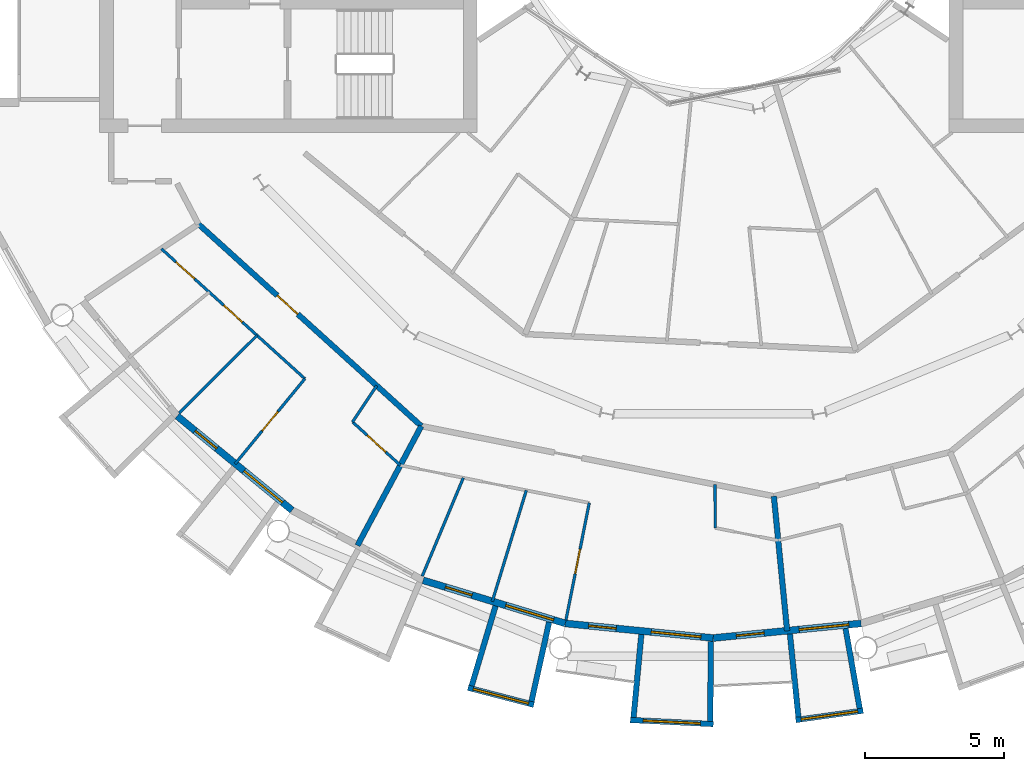
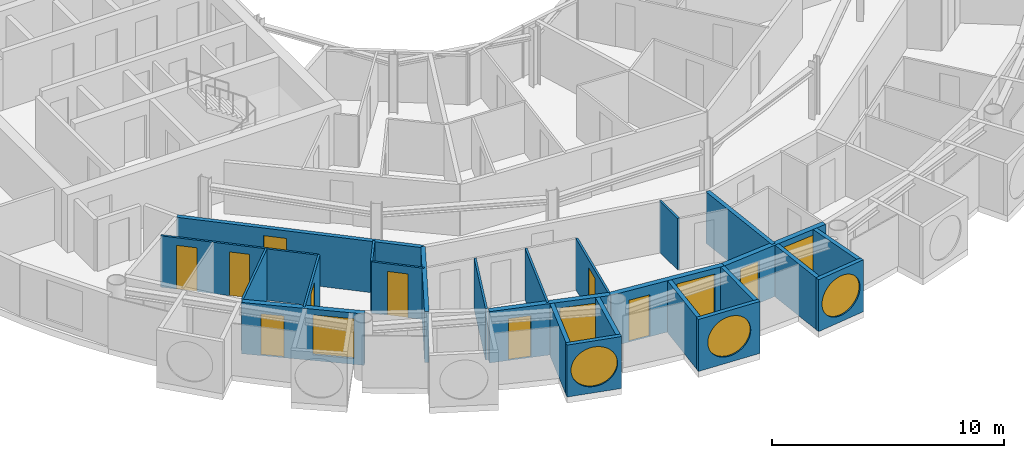
# One storey, part 14 of 26: 25 walls, 10 doors, 7 windows, 17 openings.
"""IFC4 building model written with IfcOpenShell, lengths in metres."""

from ifc_helpers import new_model, si_unit, direction, frame, frame_2d, origin, place, context, subcontext, project, spatial, rectangle, circle, extrude, material, layer, layer_set, type_object, element, fill, save


model = new_model("IFC4")

# Units and contexts
model_context = context("Model", 3, precision=1e-05, world=origin(), true_north=direction((0.0, 1.0)))
body_context = subcontext(model_context, "Body", "Model", "MODEL_VIEW")
ifc_project = project(units=[si_unit("LENGTHUNIT", "METRE"), si_unit("AREAUNIT", "SQUARE_METRE"), si_unit("VOLUMEUNIT", "CUBIC_METRE"), si_unit("PLANEANGLEUNIT", "RADIAN"), si_unit("MASSUNIT", "GRAM", prefix="KILO")], contexts=[model_context])

# Site, building, storey
site_placement = place(None, origin())
site = spatial("IfcSite", under=ifc_project, at=site_placement, CompositionType="ELEMENT")
building_placement = place(site_placement, origin())
building = spatial("IfcBuilding", under=site, at=building_placement, Name="Maasbend Ring Residences", CompositionType="ELEMENT")
storey_placement = place(building_placement, frame((0.0, 0.0, 154.35009765625)))
storey = spatial("IfcBuildingStorey", under=building, at=storey_placement, Name="L44", CompositionType="ELEMENT", Elevation=154.35009765625)

# Wall, opening, door
ifc_material_1 = material(Name="Concrete C30/37", Category="concrete")
ifc_layer_1 = layer(ifc_material_1, 0.199951171875)
ifc_layer_set_1 = layer_set([ifc_layer_1], Name="Concrete C30/37")
wall_type_1 = type_object("IfcWallType", Name="CORRIDOR WALL 200 CONCRETE", PredefinedType="PARTITIONING", material=ifc_layer_set_1)
wall_1_placement = place(storey_placement, frame((-18.5419921875, -12.388916015625, 0.0), z_axis=(0.0, 0.0, 1.0), x_axis=(0.740979597636, -0.671527539188, 0.0)))
wall_1 = element("IfcWall", 1, at=wall_1_placement, inside=storey, type_object=wall_type_1, Name="U-L44-w014", PredefinedType="PARTITIONING", context=body_context, shape_type="SweptSolid", body=[
    extrude(rectangle(XDim=10.841064453125, YDim=0.199951171875, at=frame_2d((5.42041015625, 0.0))), origin(), (0.0, 0.0, 1.0), 2.699951171875),
])
opening_1_placement = place(wall_1_placement, frame((3.8349609375, 0.0, 0.0)))
opening_1 = element("IfcOpeningElement", 2, at=opening_1_placement, cuts=wall_1, Name="Opening D-4433", PredefinedType="OPENING", context=body_context, shape_type="SweptSolid", body=[
    extrude(rectangle(XDim=1.0, YDim=2.300048828125, at=frame_2d((0.5, 1.14990234375))), frame((0.0, 0.10986328125, 0.0), z_axis=(0.0, -1.0, 0.0), x_axis=(1.0, 0.0, 0.0)), (0.0, 0.0, 1.0), 0.219970703125),
])
ifc_material_2 = material(Name="Timber, fire-rated, painted", Category="wood")
door_type_1 = type_object("IfcDoorType", Name="FLAT ENTRANCE DOOR 1000 X 2300 FIRE-RATED", OperationType="NOTDEFINED", PredefinedType="DOOR", material=ifc_material_2)
door_1_placement = place(opening_1_placement, origin())
door_1 = element("IfcDoor", 3, at=door_1_placement, inside=storey, type_object=door_type_1, Name="D-4433", OperationType="SINGLE_SWING_LEFT", OverallHeight=2.300048828125, OverallWidth=1.0, PredefinedType="DOOR", context=body_context, shape_type="SweptSolid", body=[
    extrude(rectangle(XDim=1.0, YDim=2.300048828125, at=frame_2d((0.5, 1.14990234375))), frame((0.0, 0.02490234375, 0.0), z_axis=(0.0, -1.0, 0.0), x_axis=(1.0, 0.0, 0.0)), (0.0, 0.0, 1.0), 0.050048828125),
])
fill(opening_1, door_1)

# Wall, opening, window
ifc_material_3 = material(Name="Pale anodised aluminium panel", Category="aluminium")
ifc_layer_2 = layer(ifc_material_3, 0.199951171875)
ifc_layer_set_2 = layer_set([ifc_layer_2], Name="EW-BOX")
wall_type_2 = type_object("IfcWallType", Name="EW-BOX", PredefinedType="SOLIDWALL", material=ifc_layer_set_2)
wall_2_placement = place(storey_placement, frame((-8.8291015625, -29.090087890625, -0.030029296875), z_axis=(0.0, 0.0, 1.0), x_axis=(0.96789536872, -0.251353446784, 0.0)))
wall_2 = element("IfcWall", 4, at=wall_2_placement, inside=storey, type_object=wall_type_2, Name="Box front S08", PredefinedType="SOLIDWALL", context=body_context, shape_type="SweptSolid", body=[
    extrude(rectangle(XDim=2.44677734375, YDim=0.199951171875, at=frame_2d((1.223388671875, 0.0))), origin(), (0.0, 0.0, 1.0), 2.72998046875),
])
opening_2_placement = place(wall_2_placement, frame((0.182861328125, 0.0, 0.330078125)))
opening_2 = element("IfcOpeningElement", 5, at=opening_2_placement, cuts=wall_2, Name="Opening W-RD", PredefinedType="OPENING", context=body_context, shape_type="SweptSolid", body=[
    extrude(circle(Radius=1.0400390625, at=frame_2d((1.0400390625, 1.0400390625))), frame((0.0, 0.10986328125, 0.0), z_axis=(0.0, -1.0, 0.0), x_axis=(1.0, 0.0, 0.0)), (0.0, 0.0, 1.0), 0.219970703125),
])
ifc_material_4 = material(Name="Aluminium and clear glass", Category="aluminium")
window_type_1 = type_object("IfcWindowType", Name="W-RD", PartitioningType="SINGLE_PANEL", PredefinedType="WINDOW", material=ifc_material_4)
window_1_placement = place(opening_2_placement, origin())
window_1 = element("IfcWindow", 6, at=window_1_placement, inside=storey, type_object=window_type_1, Name="Round window S08", OverallHeight=2.080078125, OverallWidth=2.080078125, PartitioningType="SINGLE_PANEL", PredefinedType="WINDOW", context=body_context, shape_type="SweptSolid", body=[
    extrude(circle(Radius=1.0400390625, at=frame_2d((1.0400390625, 1.0400390625))), frame((0.0, 0.030029296875, 0.0), z_axis=(0.0, -1.0, 0.0), x_axis=(1.0, 0.0, 0.0)), (0.0, 0.0, 1.0), 0.06005859375),
])
fill(opening_2, window_1)

# Walls
wall_3_placement = place(storey_placement, frame((-7.8369140625, -26.14404296875, -0.030029296875), z_axis=(0.0, 0.0, 1.0), x_axis=(-0.287064767992, -0.957911174889, 0.0)))
element("IfcWall", 7, at=wall_3_placement, inside=storey, type_object=wall_type_2, Name="Box side wall S08 left", PredefinedType="SOLIDWALL", context=body_context, shape_type="SweptSolid", body=[
    extrude(rectangle(XDim=3.00634765625, YDim=0.199951171875, at=frame_2d((1.503173828125, 0.0))), origin(), (0.0, 0.0, 1.0), 2.72998046875),
])
wall_4_placement = place(storey_placement, frame((-5.908935546875, -26.72900390625, -0.030029296875), z_axis=(0.0, 0.0, 1.0), x_axis=(-0.216409053917, -0.976302781612, 0.0)))
element("IfcWall", 8, at=wall_4_placement, inside=storey, type_object=wall_type_2, Name="Box side wall S08 right", PredefinedType="SOLIDWALL", context=body_context, shape_type="SweptSolid", body=[
    extrude(rectangle(XDim=2.92529296875, YDim=0.199951171875, at=frame_2d((1.462646484375, 0.0))), origin(), (0.0, 0.0, 1.0), 2.72998046875),
])

# Wall, opening, window
wall_5_placement = place(storey_placement, frame((-2.985107421875, -30.2529296875, -0.030029296875), z_axis=(0.0, 0.0, 1.0), x_axis=(0.998794083011, -0.049095618353, 0.0)))
wall_5 = element("IfcWall", 9, at=wall_5_placement, inside=storey, type_object=wall_type_2, Name="Box front S10", PredefinedType="SOLIDWALL", context=body_context, shape_type="SweptSolid", body=[
    extrude(rectangle(XDim=2.99365234375, YDim=0.199951171875, at=frame_2d((1.496826171875, 0.0))), origin(), (0.0, 0.0, 1.0), 2.72998046875),
])
opening_3_placement = place(wall_5_placement, frame((0.45654296875, 0.0, 0.330078125)))
opening_3 = element("IfcOpeningElement", 10, at=opening_3_placement, cuts=wall_5, Name="Opening W-RD", PredefinedType="OPENING", context=body_context, shape_type="SweptSolid", body=[
    extrude(circle(Radius=1.0400390625, at=frame_2d((1.0400390625, 1.0400390625))), frame((0.0, 0.10986328125, 0.0), z_axis=(0.0, -1.0, 0.0), x_axis=(1.0, 0.0, 0.0)), (0.0, 0.0, 1.0), 0.219970703125),
])
window_2_placement = place(opening_3_placement, origin())
window_2 = element("IfcWindow", 11, at=window_2_placement, inside=storey, type_object=window_type_1, Name="Round window S10", OverallHeight=2.080078125, OverallWidth=2.080078125, PartitioningType="SINGLE_PANEL", PredefinedType="WINDOW", context=body_context, shape_type="SweptSolid", body=[
    extrude(circle(Radius=1.0400390625, at=frame_2d((1.0400390625, 1.0400390625))), frame((0.0, 0.030029296875, 0.0), z_axis=(0.0, -1.0, 0.0), x_axis=(1.0, 0.0, 0.0)), (0.0, 0.0, 1.0), 0.06005859375),
])
fill(opening_3, window_2)

# Walls
wall_6_placement = place(storey_placement, frame((-2.5859375, -27.1708984375, -0.030029296875), z_axis=(0.0, 0.0, 1.0), x_axis=(-0.094548432284, -0.995520262954, 0.0)))
element("IfcWall", 12, at=wall_6_placement, inside=storey, type_object=wall_type_2, Name="Box side wall S10 left", PredefinedType="SOLIDWALL", context=body_context, shape_type="SweptSolid", body=[
    extrude(rectangle(XDim=3.005615234375, YDim=0.199951171875, at=frame_2d((1.5029296875, 0.0))), origin(), (0.0, 0.0, 1.0), 2.72998046875),
])
wall_7_placement = place(storey_placement, frame((-0.090087890625, -27.4169921875, -0.030029296875), z_axis=(0.0, 0.0, 1.0), x_axis=(-0.00347308367, -0.999993968827, 0.0)))
element("IfcWall", 13, at=wall_7_placement, inside=storey, type_object=wall_type_2, Name="Box side wall S10 right", PredefinedType="SOLIDWALL", context=body_context, shape_type="SweptSolid", body=[
    extrude(rectangle(XDim=2.882080078125, YDim=0.199951171875, at=frame_2d((1.44091796875, 0.0))), origin(), (0.0, 0.0, 1.0), 2.72998046875),
])

# Wall, opening, window
wall_8_placement = place(storey_placement, frame((2.97607421875, -30.25390625, -0.030029296875), z_axis=(0.0, 0.0, 1.0), x_axis=(0.990462016113, 0.137786046596, 0.0)))
wall_8 = element("IfcWall", 14, at=wall_8_placement, inside=storey, type_object=wall_type_2, Name="Box front S12", PredefinedType="SOLIDWALL", context=body_context, shape_type="SweptSolid", body=[
    extrude(rectangle(XDim=2.4453125, YDim=0.199951171875, at=frame_2d((1.22265625, 0.0))), origin(), (0.0, 0.0, 1.0), 2.72998046875),
])
opening_4_placement = place(wall_8_placement, frame((0.182861328125, 0.0, 0.330078125)))
opening_4 = element("IfcOpeningElement", 15, at=opening_4_placement, cuts=wall_8, Name="Opening W-RD", PredefinedType="OPENING", context=body_context, shape_type="SweptSolid", body=[
    extrude(circle(Radius=1.0400390625, at=frame_2d((1.0400390625, 1.0400390625))), frame((0.0, 0.10986328125, 0.0), z_axis=(0.0, -1.0, 0.0), x_axis=(1.0, 0.0, 0.0)), (0.0, 0.0, 1.0), 0.219970703125),
])
window_3_placement = place(opening_4_placement, origin())
window_3 = element("IfcWindow", 16, at=window_3_placement, inside=storey, type_object=window_type_1, Name="Round window S12", OverallHeight=2.080078125, OverallWidth=2.080078125, PartitioningType="SINGLE_PANEL", PredefinedType="WINDOW", context=body_context, shape_type="SweptSolid", body=[
    extrude(circle(Radius=1.0400390625, at=frame_2d((1.0400390625, 1.0400390625))), frame((0.0, 0.030029296875, 0.0), z_axis=(0.0, -1.0, 0.0), x_axis=(1.0, 0.0, 0.0)), (0.0, 0.0, 1.0), 0.06005859375),
])
fill(opening_4, window_3)

# Walls
wall_9_placement = place(storey_placement, frame((2.763916015625, -27.153076171875, -0.030029296875), z_axis=(0.0, 0.0, 1.0), x_axis=(0.101505487237, -0.994834979311, 0.0)))
element("IfcWall", 17, at=wall_9_placement, inside=storey, type_object=wall_type_2, Name="Box side wall S12 left", PredefinedType="SOLIDWALL", context=body_context, shape_type="SweptSolid", body=[
    extrude(rectangle(XDim=3.006591796875, YDim=0.199951171875, at=frame_2d((1.50341796875, 0.0))), origin(), (0.0, 0.0, 1.0), 2.72998046875),
])
wall_10_placement = place(storey_placement, frame((4.76904296875, -26.9560546875, -0.030029296875), z_axis=(0.0, 0.0, 1.0), x_axis=(0.174056778901, -0.984735618183, 0.0)))
element("IfcWall", 18, at=wall_10_placement, inside=storey, type_object=wall_type_2, Name="Box side wall S12 right", PredefinedType="SOLIDWALL", context=body_context, shape_type="SweptSolid", body=[
    extrude(rectangle(XDim=2.924560546875, YDim=0.199951171875, at=frame_2d((1.46240234375, 0.0))), origin(), (0.0, 0.0, 1.0), 2.72998046875),
])

# Wall, openings, door, window
ifc_material_5 = material(Name="Aluminium clad insulated panel", Category="aluminium")
ifc_layer_3 = layer(ifc_material_5, 0.25)
ifc_layer_set_3 = layer_set([ifc_layer_3], Name="EW-GL")
wall_type_3 = type_object("IfcWallType", Name="EW-GL", PredefinedType="SOLIDWALL", material=ifc_layer_set_3)
wall_11_placement = place(storey_placement, frame((-19.303955078125, -19.303955078125, 0.0), z_axis=(0.0, 0.0, 1.0), x_axis=(0.773019449054, -0.634382322723, 0.0)))
wall_11 = element("IfcWall", 19, at=wall_11_placement, inside=storey, type_object=wall_type_3, Name="External wall S02", PredefinedType="SOLIDWALL", context=body_context, shape_type="SweptSolid", body=[
    extrude(rectangle(XDim=5.351806640625, YDim=0.25, at=frame_2d((2.67578125, 0.0))), origin(), (0.0, 0.0, 1.0), 2.699951171875),
])
opening_5_placement = place(wall_11_placement, frame((0.841064453125, 0.0, 0.0)))
opening_5 = element("IfcOpeningElement", 20, at=opening_5_placement, cuts=wall_11, Name="Opening D-LG", PredefinedType="OPENING", context=body_context, shape_type="SweptSolid", body=[
    extrude(rectangle(XDim=1.0, YDim=2.199951171875, at=frame_2d((0.5, 1.10009765625))), frame((0.0, 0.135009765625, 0.0), z_axis=(0.0, -1.0, 0.0), x_axis=(1.0, 0.0, 0.0)), (0.0, 0.0, 1.0), 0.27001953125),
])
opening_6_placement = place(wall_11_placement, frame((3.110595703125, 0.0, 0.300048828125)))
opening_6 = element("IfcOpeningElement", 21, at=opening_6_placement, cuts=wall_11, Name="Opening W-BX", PredefinedType="OPENING", context=body_context, shape_type="SweptSolid", body=[
    extrude(rectangle(XDim=1.800048828125, YDim=2.10009765625, at=frame_2d((0.89990234375, 1.050048828125))), frame((0.0, 0.135009765625, 0.0), z_axis=(0.0, -1.0, 0.0), x_axis=(1.0, 0.0, 0.0)), (0.0, 0.0, 1.0), 0.27001953125),
])
ifc_material_6 = material(Name="Aluminium and clear glass", Category="aluminium")
door_type_2 = type_object("IfcDoorType", Name="D-LG", OperationType="SINGLE_SWING_LEFT", PredefinedType="DOOR", material=ifc_material_6)
door_2_placement = place(opening_5_placement, origin())
door_2 = element("IfcDoor", 22, at=door_2_placement, inside=storey, type_object=door_type_2, Name="Loggia door S03", OperationType="SINGLE_SWING_LEFT", OverallHeight=2.199951171875, OverallWidth=1.0, PredefinedType="DOOR", context=body_context, shape_type="SweptSolid", body=[
    extrude(rectangle(XDim=1.0, YDim=2.199951171875, at=frame_2d((0.5, 1.10009765625))), frame((0.0, 0.02490234375, 0.0), z_axis=(0.0, -1.0, 0.0), x_axis=(1.0, 0.0, 0.0)), (0.0, 0.0, 1.0), 0.050048828125),
])
fill(opening_5, door_2)
ifc_material_7 = material(Name="Aluminium and clear glass", Category="aluminium")
window_type_2 = type_object("IfcWindowType", Name="W-BX", PartitioningType="DOUBLE_PANEL_VERTICAL", PredefinedType="WINDOW", material=ifc_material_7)
window_4_placement = place(opening_6_placement, origin())
window_4 = element("IfcWindow", 23, at=window_4_placement, inside=storey, type_object=window_type_2, Name="Window S04 room to box", OverallHeight=2.10009765625, OverallWidth=1.800048828125, PartitioningType="SINGLE_PANEL", PredefinedType="WINDOW", context=body_context, shape_type="SweptSolid", body=[
    extrude(rectangle(XDim=1.800048828125, YDim=2.10009765625, at=frame_2d((0.89990234375, 1.050048828125))), frame((0.0, 0.030029296875, 0.0), z_axis=(0.0, -1.0, 0.0), x_axis=(1.0, 0.0, 0.0)), (0.0, 0.0, 1.0), 0.06005859375),
])
fill(opening_6, window_4)

wall_12_placement = place(storey_placement, frame((-10.447021484375, -25.221923828125, 0.0), z_axis=(0.0, 0.0, 1.0), x_axis=(0.956965678721, -0.290201119486, 0.0)))
wall_12 = element("IfcWall", 24, at=wall_12_placement, inside=storey, type_object=wall_type_3, Name="External wall S04", PredefinedType="SOLIDWALL", context=body_context, shape_type="SweptSolid", body=[
    extrude(rectangle(XDim=5.351318359375, YDim=0.25, at=frame_2d((2.67578125, 0.0))), origin(), (0.0, 0.0, 1.0), 2.699951171875),
])
opening_7_placement = place(wall_12_placement, frame((0.841064453125, 0.0, 0.0)))
opening_7 = element("IfcOpeningElement", 25, at=opening_7_placement, cuts=wall_12, Name="Opening D-LG", PredefinedType="OPENING", context=body_context, shape_type="SweptSolid", body=[
    extrude(rectangle(XDim=1.0, YDim=2.199951171875, at=frame_2d((0.5, 1.10009765625))), frame((0.0, 0.135009765625, 0.0), z_axis=(0.0, -1.0, 0.0), x_axis=(1.0, 0.0, 0.0)), (0.0, 0.0, 1.0), 0.27001953125),
])
opening_8_placement = place(wall_12_placement, frame((3.110595703125, 0.0, 0.300048828125)))
opening_8 = element("IfcOpeningElement", 26, at=opening_8_placement, cuts=wall_12, Name="Opening W-BX", PredefinedType="OPENING", context=body_context, shape_type="SweptSolid", body=[
    extrude(rectangle(XDim=1.800048828125, YDim=2.10009765625, at=frame_2d((0.89990234375, 1.050048828125))), frame((0.0, 0.135009765625, 0.0), z_axis=(0.0, -1.0, 0.0), x_axis=(1.0, 0.0, 0.0)), (0.0, 0.0, 1.0), 0.27001953125),
])
door_3_placement = place(opening_7_placement, origin())
door_3 = element("IfcDoor", 27, at=door_3_placement, inside=storey, type_object=door_type_2, Name="Loggia door S07", OperationType="SINGLE_SWING_LEFT", OverallHeight=2.199951171875, OverallWidth=1.0, PredefinedType="DOOR", context=body_context, shape_type="SweptSolid", body=[
    extrude(rectangle(XDim=1.0, YDim=2.199951171875, at=frame_2d((0.5, 1.10009765625))), frame((0.0, 0.02490234375, 0.0), z_axis=(0.0, -1.0, 0.0), x_axis=(1.0, 0.0, 0.0)), (0.0, 0.0, 1.0), 0.050048828125),
])
fill(opening_7, door_3)
window_5_placement = place(opening_8_placement, origin())
window_5 = element("IfcWindow", 28, at=window_5_placement, inside=storey, type_object=window_type_2, Name="Window S08 room to box", OverallHeight=2.10009765625, OverallWidth=1.800048828125, PartitioningType="SINGLE_PANEL", PredefinedType="WINDOW", context=body_context, shape_type="SweptSolid", body=[
    extrude(rectangle(XDim=1.800048828125, YDim=2.10009765625, at=frame_2d((0.89990234375, 1.050048828125))), frame((0.0, 0.030029296875, 0.0), z_axis=(0.0, -1.0, 0.0), x_axis=(1.0, 0.0, 0.0)), (0.0, 0.0, 1.0), 0.06005859375),
])
fill(opening_8, window_5)

wall_13_placement = place(storey_placement, frame((-5.325927734375, -26.77490234375, 0.0), z_axis=(0.0, 0.0, 1.0), x_axis=(0.995173996315, -0.098126026407, 0.0)))
wall_13 = element("IfcWall", 29, at=wall_13_placement, inside=storey, type_object=wall_type_3, Name="External wall S05", PredefinedType="SOLIDWALL", context=body_context, shape_type="SweptSolid", body=[
    extrude(rectangle(XDim=5.351806640625, YDim=0.25, at=frame_2d((2.67578125, 0.0))), origin(), (0.0, 0.0, 1.0), 2.699951171875),
])
opening_9_placement = place(wall_13_placement, frame((0.841064453125, 0.0, 0.0)))
opening_9 = element("IfcOpeningElement", 30, at=opening_9_placement, cuts=wall_13, Name="Opening D-LG", PredefinedType="OPENING", context=body_context, shape_type="SweptSolid", body=[
    extrude(rectangle(XDim=1.0, YDim=2.199951171875, at=frame_2d((0.5, 1.10009765625))), frame((0.0, 0.135009765625, 0.0), z_axis=(0.0, -1.0, 0.0), x_axis=(1.0, 0.0, 0.0)), (0.0, 0.0, 1.0), 0.27001953125),
])
opening_10_placement = place(wall_13_placement, frame((3.110595703125, 0.0, 0.300048828125)))
opening_10 = element("IfcOpeningElement", 31, at=opening_10_placement, cuts=wall_13, Name="Opening W-BX", PredefinedType="OPENING", context=body_context, shape_type="SweptSolid", body=[
    extrude(rectangle(XDim=1.800048828125, YDim=2.10009765625, at=frame_2d((0.89990234375, 1.050048828125))), frame((0.0, 0.135009765625, 0.0), z_axis=(0.0, -1.0, 0.0), x_axis=(1.0, 0.0, 0.0)), (0.0, 0.0, 1.0), 0.27001953125),
])
door_4_placement = place(opening_9_placement, origin())
door_4 = element("IfcDoor", 32, at=door_4_placement, inside=storey, type_object=door_type_2, Name="Loggia door S09", OperationType="SINGLE_SWING_LEFT", OverallHeight=2.199951171875, OverallWidth=1.0, PredefinedType="DOOR", context=body_context, shape_type="SweptSolid", body=[
    extrude(rectangle(XDim=1.0, YDim=2.199951171875, at=frame_2d((0.5, 1.10009765625))), frame((0.0, 0.02490234375, 0.0), z_axis=(0.0, -1.0, 0.0), x_axis=(1.0, 0.0, 0.0)), (0.0, 0.0, 1.0), 0.050048828125),
])
fill(opening_9, door_4)
window_6_placement = place(opening_10_placement, origin())
window_6 = element("IfcWindow", 33, at=window_6_placement, inside=storey, type_object=window_type_2, Name="Window S10 room to box", OverallHeight=2.10009765625, OverallWidth=1.800048828125, PartitioningType="SINGLE_PANEL", PredefinedType="WINDOW", context=body_context, shape_type="SweptSolid", body=[
    extrude(rectangle(XDim=1.800048828125, YDim=2.10009765625, at=frame_2d((0.89990234375, 1.050048828125))), frame((0.0, 0.030029296875, 0.0), z_axis=(0.0, -1.0, 0.0), x_axis=(1.0, 0.0, 0.0)), (0.0, 0.0, 1.0), 0.06005859375),
])
fill(opening_10, window_6)

wall_14_placement = place(storey_placement, frame((0.0, -27.300048828125, 0.0), z_axis=(0.0, 0.0, 1.0), x_axis=(0.995173996315, 0.098126026407, 0.0)))
wall_14 = element("IfcWall", 34, at=wall_14_placement, inside=storey, type_object=wall_type_3, Name="External wall S06", PredefinedType="SOLIDWALL", context=body_context, shape_type="SweptSolid", body=[
    extrude(rectangle(XDim=5.351806640625, YDim=0.25, at=frame_2d((2.67578125, 0.0))), origin(), (0.0, 0.0, 1.0), 2.699951171875),
])
opening_11_placement = place(wall_14_placement, frame((0.841064453125, 0.0, 0.0)))
opening_11 = element("IfcOpeningElement", 35, at=opening_11_placement, cuts=wall_14, Name="Opening D-LG", PredefinedType="OPENING", context=body_context, shape_type="SweptSolid", body=[
    extrude(rectangle(XDim=1.0, YDim=2.199951171875, at=frame_2d((0.5, 1.10009765625))), frame((0.0, 0.135009765625, 0.0), z_axis=(0.0, -1.0, 0.0), x_axis=(1.0, 0.0, 0.0)), (0.0, 0.0, 1.0), 0.27001953125),
])
opening_12_placement = place(wall_14_placement, frame((3.110595703125, 0.0, 0.300048828125)))
opening_12 = element("IfcOpeningElement", 36, at=opening_12_placement, cuts=wall_14, Name="Opening W-BX", PredefinedType="OPENING", context=body_context, shape_type="SweptSolid", body=[
    extrude(rectangle(XDim=1.800048828125, YDim=2.10009765625, at=frame_2d((0.89990234375, 1.050048828125))), frame((0.0, 0.135009765625, 0.0), z_axis=(0.0, -1.0, 0.0), x_axis=(1.0, 0.0, 0.0)), (0.0, 0.0, 1.0), 0.27001953125),
])
door_5_placement = place(opening_11_placement, origin())
door_5 = element("IfcDoor", 37, at=door_5_placement, inside=storey, type_object=door_type_2, Name="Loggia door S11", OperationType="SINGLE_SWING_LEFT", OverallHeight=2.199951171875, OverallWidth=1.0, PredefinedType="DOOR", context=body_context, shape_type="SweptSolid", body=[
    extrude(rectangle(XDim=1.0, YDim=2.199951171875, at=frame_2d((0.5, 1.10009765625))), frame((0.0, 0.02490234375, 0.0), z_axis=(0.0, -1.0, 0.0), x_axis=(1.0, 0.0, 0.0)), (0.0, 0.0, 1.0), 0.050048828125),
])
fill(opening_11, door_5)
window_7_placement = place(opening_12_placement, origin())
window_7 = element("IfcWindow", 38, at=window_7_placement, inside=storey, type_object=window_type_2, Name="Window S12 room to box", OverallHeight=2.10009765625, OverallWidth=1.800048828125, PartitioningType="SINGLE_PANEL", PredefinedType="WINDOW", context=body_context, shape_type="SweptSolid", body=[
    extrude(rectangle(XDim=1.800048828125, YDim=2.10009765625, at=frame_2d((0.89990234375, 1.050048828125))), frame((0.0, 0.030029296875, 0.0), z_axis=(0.0, -1.0, 0.0), x_axis=(1.0, 0.0, 0.0)), (0.0, 0.0, 1.0), 0.06005859375),
])
fill(opening_12, window_7)

# Wall, openings, doors
ifc_material_8 = material(Name="Gypsum board on steel studs", Category="steel")
ifc_layer_4 = layer(ifc_material_8, 0.10009765625)
ifc_layer_set_4 = layer_set([ifc_layer_4], Name="PARTITION 100 GYPSUM")
wall_type_4 = type_object("IfcWallType", Name="PARTITION 100 GYPSUM", PredefinedType="PARTITIONING", material=ifc_layer_set_4)
wall_15_placement = place(storey_placement, frame((-19.868896484375, -13.283935546875, 0.0), z_axis=(0.0, 0.0, 1.0), x_axis=(0.741104058203, -0.67139018083, 0.0)))
wall_15 = element("IfcWall", 39, at=wall_15_placement, inside=storey, type_object=wall_type_4, Name="U-L44-w003", PredefinedType="PARTITIONING", context=body_context, shape_type="SweptSolid", body=[
    extrude(rectangle(XDim=6.968994140625, YDim=0.10009765625, at=frame_2d((3.484375, 0.0))), origin(), (0.0, 0.0, 1.0), 2.699951171875),
])
opening_13_placement = place(wall_15_placement, frame((3.028076171875, 0.0, 0.0)))
opening_13 = element("IfcOpeningElement", 40, at=opening_13_placement, cuts=wall_15, Name="Opening D-4436", PredefinedType="OPENING", context=body_context, shape_type="SweptSolid", body=[
    extrude(rectangle(XDim=0.89990234375, YDim=2.300048828125, at=frame_2d((0.449951171875, 1.14990234375))), frame((0.0, 0.06005859375, 0.0), z_axis=(0.0, -1.0, 0.0), x_axis=(1.0, 0.0, 0.0)), (0.0, 0.0, 1.0), 0.1201171875),
])
opening_14_placement = place(wall_15_placement, frame((0.705078125, 0.0, 0.0)))
opening_14 = element("IfcOpeningElement", 41, at=opening_14_placement, cuts=wall_15, Name="Opening D-4437", PredefinedType="OPENING", context=body_context, shape_type="SweptSolid", body=[
    extrude(rectangle(XDim=0.89990234375, YDim=2.300048828125, at=frame_2d((0.449951171875, 1.14990234375))), frame((0.0, 0.06005859375, 0.0), z_axis=(0.0, -1.0, 0.0), x_axis=(1.0, 0.0, 0.0)), (0.0, 0.0, 1.0), 0.1201171875),
])
ifc_material_9 = material(Name="Timber, painted", Category="wood")
door_type_3 = type_object("IfcDoorType", Name="INTERNAL DOOR 900 X 2300", OperationType="NOTDEFINED", PredefinedType="DOOR", material=ifc_material_9)
door_6_placement = place(opening_13_placement, origin())
door_6 = element("IfcDoor", 42, at=door_6_placement, inside=storey, type_object=door_type_3, Name="D-4436", OperationType="SINGLE_SWING_LEFT", OverallHeight=2.300048828125, OverallWidth=0.89990234375, PredefinedType="DOOR", context=body_context, shape_type="SweptSolid", body=[
    extrude(rectangle(XDim=0.89990234375, YDim=2.300048828125, at=frame_2d((0.449951171875, 1.14990234375))), frame((0.0, 0.02490234375, 0.0), z_axis=(0.0, -1.0, 0.0), x_axis=(1.0, 0.0, 0.0)), (0.0, 0.0, 1.0), 0.050048828125),
])
fill(opening_13, door_6)
door_7_placement = place(opening_14_placement, origin())
door_7 = element("IfcDoor", 43, at=door_7_placement, inside=storey, type_object=door_type_3, Name="D-4437", OperationType="SINGLE_SWING_LEFT", OverallHeight=2.300048828125, OverallWidth=0.89990234375, PredefinedType="DOOR", context=body_context, shape_type="SweptSolid", body=[
    extrude(rectangle(XDim=0.89990234375, YDim=2.300048828125, at=frame_2d((0.449951171875, 1.14990234375))), frame((0.0, 0.02490234375, 0.0), z_axis=(0.0, -1.0, 0.0), x_axis=(1.0, 0.0, 0.0)), (0.0, 0.0, 1.0), 0.050048828125),
])
fill(opening_14, door_7)

# Wall, opening, door
wall_16_placement = place(storey_placement, frame((-12.988037109375, -19.51806640625, 0.0), z_axis=(0.0, 0.0, 1.0), x_axis=(0.741132356378, -0.671358942988, 0.0)))
wall_16 = element("IfcWall", 44, at=wall_16_placement, inside=storey, type_object=wall_type_4, Name="U-L44-w004", PredefinedType="PARTITIONING", context=body_context, shape_type="SweptSolid", body=[
    extrude(rectangle(XDim=2.323486328125, YDim=0.10009765625, at=frame_2d((1.16162109375, 0.0))), origin(), (0.0, 0.0, 1.0), 2.699951171875),
])
opening_15_placement = place(wall_16_placement, frame((0.7119140625, 0.0, 0.0)))
opening_15 = element("IfcOpeningElement", 45, at=opening_15_placement, cuts=wall_16, Name="Opening D-4434", PredefinedType="OPENING", context=body_context, shape_type="SweptSolid", body=[
    extrude(rectangle(XDim=0.89990234375, YDim=2.300048828125, at=frame_2d((0.449951171875, 1.14990234375))), frame((0.0, 0.06005859375, 0.0), z_axis=(0.0, -1.0, 0.0), x_axis=(1.0, 0.0, 0.0)), (0.0, 0.0, 1.0), 0.1201171875),
])
door_8_placement = place(opening_15_placement, origin())
door_8 = element("IfcDoor", 46, at=door_8_placement, inside=storey, type_object=door_type_3, Name="D-4434", OperationType="SINGLE_SWING_RIGHT", OverallHeight=2.300048828125, OverallWidth=0.89990234375, PredefinedType="DOOR", context=body_context, shape_type="SweptSolid", body=[
    extrude(rectangle(XDim=0.89990234375, YDim=2.300048828125, at=frame_2d((0.449951171875, 1.14990234375))), frame((0.0, 0.02490234375, 0.0), z_axis=(0.0, -1.0, 0.0), x_axis=(1.0, 0.0, 0.0)), (0.0, 0.0, 1.0), 0.050048828125),
])
fill(opening_15, door_8)

# Wall
wall_17_placement = place(storey_placement, frame((-19.23095703125, -19.199951171875, 0.0), z_axis=(0.0, 0.0, 1.0), x_axis=(0.707722727509, 0.706490297858, 0.0)))
element("IfcWall", 47, at=wall_17_placement, inside=storey, type_object=wall_type_4, Name="U-L44-w039", PredefinedType="PARTITIONING", context=body_context, shape_type="SweptSolid", body=[
    extrude(rectangle(XDim=3.9619140625, YDim=0.10009765625, at=frame_2d((1.98095703125, 0.0))), origin(), (0.0, 0.0, 1.0), 2.699951171875),
])

# Wall, opening, door
wall_18_placement = place(storey_placement, frame((-17.216064453125, -21.02587890625, 0.0), z_axis=(0.0, 0.0, 1.0), x_axis=(0.633590098448, 0.773668913133, 0.0)))
wall_18 = element("IfcWall", 48, at=wall_18_placement, inside=storey, type_object=wall_type_4, Name="U-L44-w041", PredefinedType="PARTITIONING", context=body_context, shape_type="SweptSolid", body=[
    extrude(rectangle(XDim=3.961669921875, YDim=0.10009765625, at=frame_2d((1.98095703125, 0.0))), origin(), (0.0, 0.0, 1.0), 2.699951171875),
])
opening_16_placement = place(wall_18_placement, frame((1.531005859375, 0.0, 0.0)))
opening_16 = element("IfcOpeningElement", 49, at=opening_16_placement, cuts=wall_18, Name="Opening D-4435", PredefinedType="OPENING", context=body_context, shape_type="SweptSolid", body=[
    extrude(rectangle(XDim=0.89990234375, YDim=2.300048828125, at=frame_2d((0.449951171875, 1.14990234375))), frame((0.0, 0.06005859375, 0.0), z_axis=(0.0, -1.0, 0.0), x_axis=(1.0, 0.0, 0.0)), (0.0, 0.0, 1.0), 0.1201171875),
])
door_9_placement = place(opening_16_placement, origin())
door_9 = element("IfcDoor", 50, at=door_9_placement, inside=storey, type_object=door_type_3, Name="D-4435", OperationType="SINGLE_SWING_RIGHT", OverallHeight=2.300048828125, OverallWidth=0.89990234375, PredefinedType="DOOR", context=body_context, shape_type="SweptSolid", body=[
    extrude(rectangle(XDim=0.89990234375, YDim=2.300048828125, at=frame_2d((0.449951171875, 1.14990234375))), frame((0.0, 0.02490234375, 0.0), z_axis=(0.0, -1.0, 0.0), x_axis=(1.0, 0.0, 0.0)), (0.0, 0.0, 1.0), 0.050048828125),
])
fill(opening_16, door_9)

# Walls
wall_19_placement = place(storey_placement, frame((-12.988037109375, -19.51806640625, 0.0), z_axis=(0.0, 0.0, 1.0), x_axis=(0.554125989098, 0.832432813028, 0.0)))
element("IfcWall", 51, at=wall_19_placement, inside=storey, type_object=wall_type_4, Name="U-L44-w042", PredefinedType="PARTITIONING", context=body_context, shape_type="SweptSolid", body=[
    extrude(rectangle(XDim=1.5703125, YDim=0.10009765625, at=frame_2d((0.78515625, 0.0))), origin(), (0.0, 0.0, 1.0), 2.699951171875),
])
wall_20_placement = place(storey_placement, frame((-10.47900390625, -25.072998046875, 0.0), z_axis=(0.0, 0.0, 1.0), x_axis=(0.385572005139, 0.922677749192, 0.0)))
element("IfcWall", 52, at=wall_20_placement, inside=storey, type_object=wall_type_4, Name="U-L44-w047", PredefinedType="PARTITIONING", context=body_context, shape_type="SweptSolid", body=[
    extrude(rectangle(XDim=3.8408203125, YDim=0.10009765625, at=frame_2d((1.92041015625, 0.0))), origin(), (0.0, 0.0, 1.0), 2.699951171875),
])
wall_21_placement = place(storey_placement, frame((-7.9560546875, -25.98388671875, 0.0), z_axis=(0.0, 0.0, 1.0), x_axis=(0.292799128207, 0.956173975028, 0.0)))
element("IfcWall", 53, at=wall_21_placement, inside=storey, type_object=wall_type_4, Name="U-L44-w050", PredefinedType="PARTITIONING", context=body_context, shape_type="SweptSolid", body=[
    extrude(rectangle(XDim=4.1875, YDim=0.10009765625, at=frame_2d((2.09375, 0.0))), origin(), (0.0, 0.0, 1.0), 2.699951171875),
])

# Wall, opening, door
wall_22_placement = place(storey_placement, frame((-5.302001953125, -26.653076171875, 0.0), z_axis=(0.0, 0.0, 1.0), x_axis=(0.195145394338, 0.98077432423, 0.0)))
wall_22 = element("IfcWall", 54, at=wall_22_placement, inside=storey, type_object=wall_type_4, Name="U-L44-w054", PredefinedType="PARTITIONING", context=body_context, shape_type="SweptSolid", body=[
    extrude(rectangle(XDim=4.304931640625, YDim=0.10009765625, at=frame_2d((2.15234375, 0.0))), origin(), (0.0, 0.0, 1.0), 2.699951171875),
])
opening_17_placement = place(wall_22_placement, frame((1.701904296875, 0.0, 0.0)))
opening_17 = element("IfcOpeningElement", 55, at=opening_17_placement, cuts=wall_22, Name="Opening D-4440", PredefinedType="OPENING", context=body_context, shape_type="SweptSolid", body=[
    extrude(rectangle(XDim=0.89990234375, YDim=2.300048828125, at=frame_2d((0.449951171875, 1.14990234375))), frame((0.0, 0.06005859375, 0.0), z_axis=(0.0, -1.0, 0.0), x_axis=(1.0, 0.0, 0.0)), (0.0, 0.0, 1.0), 0.1201171875),
])
door_10_placement = place(opening_17_placement, origin())
door_10 = element("IfcDoor", 56, at=door_10_placement, inside=storey, type_object=door_type_3, Name="D-4440", OperationType="SINGLE_SWING_LEFT", OverallHeight=2.300048828125, OverallWidth=0.89990234375, PredefinedType="DOOR", context=body_context, shape_type="SweptSolid", body=[
    extrude(rectangle(XDim=0.89990234375, YDim=2.300048828125, at=frame_2d((0.449951171875, 1.14990234375))), frame((0.0, 0.02490234375, 0.0), z_axis=(0.0, -1.0, 0.0), x_axis=(1.0, 0.0, 0.0)), (0.0, 0.0, 1.0), 0.050048828125),
])
fill(opening_17, door_10)

# Walls
wall_23_placement = place(storey_placement, frame((0.073974609375, -23.333984375, 0.0), z_axis=(0.0, 0.0, 1.0), x_axis=(-0.003125961595, 0.99999511417, 0.0)))
element("IfcWall", 57, at=wall_23_placement, inside=storey, type_object=wall_type_4, Name="U-L44-w062", PredefinedType="PARTITIONING", context=body_context, shape_type="SweptSolid", body=[
    extrude(rectangle(XDim=1.56201171875, YDim=0.10009765625, at=frame_2d((0.781005859375, 0.0))), origin(), (0.0, 0.0, 1.0), 2.699951171875),
])
ifc_material_10 = material(Name="Concrete C30/37", Category="concrete")
ifc_layer_5 = layer(ifc_material_10, 0.199951171875)
ifc_layer_set_5 = layer_set([ifc_layer_5], Name="Concrete C30/37")
wall_type_5 = type_object("IfcWallType", Name="PARTY WALL 200 CONCRETE", PredefinedType="PARTITIONING", material=ifc_layer_set_5)
wall_24_placement = place(storey_placement, frame((-12.81005859375, -23.966064453125, 0.0), z_axis=(0.0, 0.0, 1.0), x_axis=(0.471427642527, 0.881904744211, 0.0)))
element("IfcWall", 58, at=wall_24_placement, inside=storey, type_object=wall_type_5, Name="U-L44-w043", PredefinedType="PARTITIONING", context=body_context, shape_type="SweptSolid", body=[
    extrude(rectangle(XDim=4.874755859375, YDim=0.199951171875, at=frame_2d((2.4375, 0.0))), origin(), (0.0, 0.0, 1.0), 2.699951171875),
])
wall_25_placement = place(storey_placement, frame((2.18603515625, -22.193115234375, 0.0), z_axis=(0.0, 0.0, 1.0), x_axis=(0.098070432075, -0.995179476453, 0.0)))
element("IfcWall", 59, at=wall_25_placement, inside=storey, type_object=wall_type_5, Name="U-L44-w065", PredefinedType="PARTITIONING", context=body_context, shape_type="SweptSolid", body=[
    extrude(rectangle(XDim=4.874267578125, YDim=0.199951171875, at=frame_2d((2.43701171875, 0.0))), origin(), (0.0, 0.0, 1.0), 2.699951171875),
])

save(model, "model.ifc")
